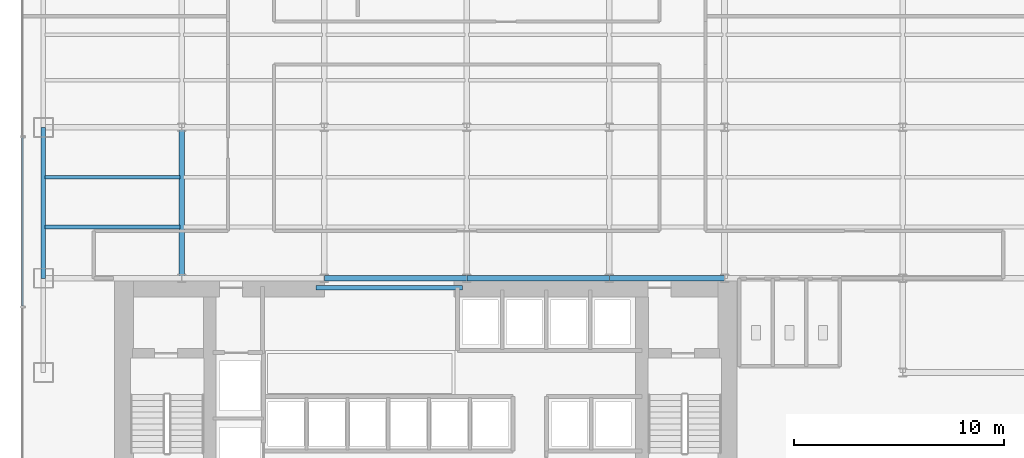
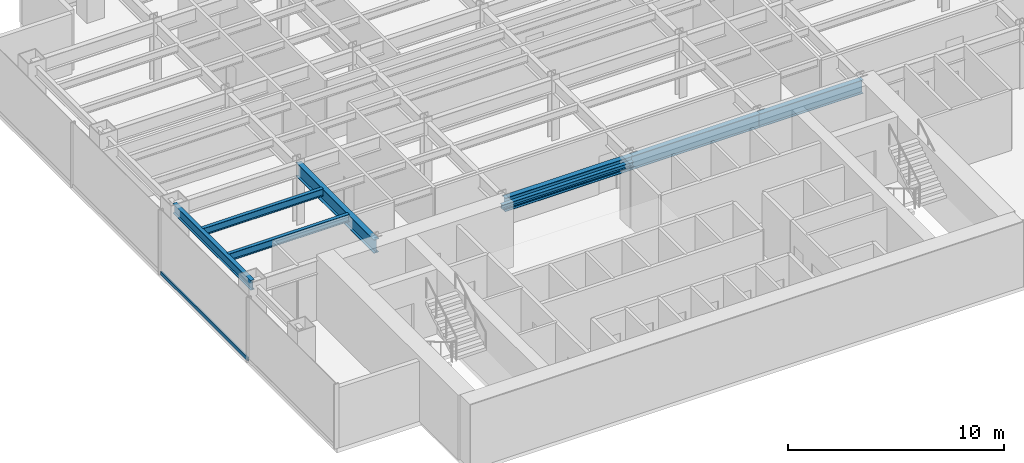
# One storey, part 3 of 23: 8 beams, 1 member, 1 element without a shape of its own.
"""IFC4 building model written with IfcOpenShell, lengths in metres."""

from ifc_helpers import new_model, si_unit, derived_unit, direction, frame, origin, origin_2d, place, context, subcontext, project, spatial, hollow_rectangle, i_section, extrude, source, transform, mapped, material, material_profile, profile_set, type_object, element, aggregate, save


model = new_model("IFC4")

# Units and contexts
model_context = context("Model", 3, precision=1e-05, world=origin(), true_north=direction((0.0, 1.0)))
body_context = subcontext(model_context, "Body", "Model", "MODEL_VIEW")
ifc_project = project(units=[si_unit("LENGTHUNIT", "METRE"), si_unit("AREAUNIT", "SQUARE_METRE"), si_unit("VOLUMEUNIT", "CUBIC_METRE"), si_unit("PLANEANGLEUNIT", "RADIAN"), si_unit("MASSUNIT", "GRAM", prefix="KILO"), derived_unit("THERMALTRANSMITTANCEUNIT", [(si_unit("POWERUNIT", "WATT"), 1), (si_unit("LENGTHUNIT", "METRE"), -2), (si_unit("THERMODYNAMICTEMPERATUREUNIT", "KELVIN"), -1)])], contexts=[model_context])

# Site, building, storey
site_placement = place(None, origin())
site = spatial("IfcSite", under=ifc_project, at=site_placement, CompositionType="ELEMENT")
building_placement = place(site_placement, origin())
building = spatial("IfcBuilding", under=site, at=building_placement, Name="Skarnbrae Concourse Arena and Tower", CompositionType="ELEMENT")
storey_placement = place(building_placement, frame((0.0, 0.0, 43.449951171875)))
storey = spatial("IfcBuildingStorey", under=building, at=storey_placement, Name="L09", CompositionType="ELEMENT", Elevation=43.449951171875)

# Beams
ifc_material_1 = material(Name="Steel CSA G40.21 350W", Category="steel")
ifc_material_profile_1 = material_profile(ifc_material_1, i_section(OverallWidth=0.202880859375, OverallDepth=0.251953125, WebThickness=0.008056640625, FlangeThickness=0.013427734375, at=origin_2d()), Name="W250X58")
ifc_profile_set_1 = profile_set([ifc_material_profile_1], Name="Steel CSA G40.21 350W")
beam_type_1 = type_object("IfcBeamType", Name="BM-LINTEL-W250X58", PredefinedType="LINTEL", material=ifc_profile_set_1)
shared_shape_1 = source(origin(), body_context, "Body", "SweptSolid", [
    extrude(i_section(OverallWidth=0.202880859375, OverallDepth=0.251953125, WebThickness=0.008056640625, FlangeThickness=0.013427734375, at=origin_2d()), origin(), (0.0, 0.0, 1.0), 7.0),
])
beam_1_placement = place(storey_placement, frame((14.0, 13.550048828125, 3.274169921875), z_axis=(1.0, 0.0, 0.0), x_axis=(0.0, 1.0, 0.0)))
element("IfcBeam", 1, at=beam_1_placement, inside=storey, type_object=beam_type_1, Name="L09 Core portal coupling lintel", PredefinedType="LINTEL", context=body_context, shape_type="MappedRepresentation", body=[
    mapped(shared_shape_1, transform((0.0, 0.0, 0.0))),
])
ifc_material_profile_2 = material_profile(ifc_material_1, i_section(OverallWidth=0.26806640625, OverallDepth=0.77001953125, WebThickness=0.015625, FlangeThickness=0.025390625, at=origin_2d()), Name="W760X196")
ifc_profile_set_2 = profile_set([ifc_material_profile_2], Name="Steel CSA G40.21 350W")
beam_type_2 = type_object("IfcBeamType", Name="BM-GIRD-W760X196", PredefinedType="BEAM", material=ifc_profile_set_2)
shared_shape_2 = source(origin(), body_context, "Body", "SweptSolid", [
    extrude(i_section(OverallWidth=0.26806640625, OverallDepth=0.77001953125, WebThickness=0.015625, FlangeThickness=0.025390625, at=origin_2d()), origin(), (0.0, 0.0, 1.0), 6.800048828125),
])
for number, where, z_axis, x_axis, name in (
    (2, (14.39990234375, 14.0, 3.01513671875), (1.0, 0.0, 0.0), (0.0, 1.0, 0.0), "L09 Primary E-W girder Y14.0-3"),
    (3, (21.199951171875, 14.0, 3.01513671875), (1.0, 0.0, 0.0), (0.0, 1.0, 0.0), "L09 Primary E-W girder Y14.0-4"),
):
    element("IfcBeam", number, at=place(storey_placement, frame(where, z_axis=z_axis, x_axis=x_axis)), inside=storey, type_object=beam_type_2, Name=name, PredefinedType="BEAM", context=body_context, shape_type="MappedRepresentation", body=[
        mapped(shared_shape_2, transform((0.0, 0.0, 0.0))),
    ])
shared_shape_3 = source(origin(), body_context, "Body", "SweptSolid", [
    extrude(i_section(OverallWidth=0.26806640625, OverallDepth=0.77001953125, WebThickness=0.015625, FlangeThickness=0.025390625, at=origin_2d()), origin(), (0.0, 0.0, 1.0), 5.5),
])
beam_2_placement = place(storey_placement, frame((28.0, 14.0, 3.01513671875), z_axis=(1.0, 0.0, 0.0), x_axis=(0.0, 1.0, 0.0)))
element("IfcBeam", 4, at=beam_2_placement, inside=storey, type_object=beam_type_2, Name="L09 Primary E-W girder Y14.0-5", PredefinedType="BEAM", context=body_context, shape_type="MappedRepresentation", body=[
    mapped(shared_shape_3, transform((0.0, 0.0, 0.0))),
])
ifc_material_profile_3 = material_profile(ifc_material_1, i_section(OverallWidth=0.214111328125, OverallDepth=0.549072265625, WebThickness=0.0146484375, FlangeThickness=0.023681640625, at=origin_2d()), Name="W530X138")
ifc_profile_set_3 = profile_set([ifc_material_profile_3], Name="Steel CSA G40.21 350W")
beam_type_3 = type_object("IfcBeamType", Name="BM-SPAN-W530X138", PredefinedType="SPANDREL", material=ifc_profile_set_3)
shared_shape_4 = source(origin(), body_context, "Body", "SweptSolid", [
    extrude(i_section(OverallWidth=0.214111328125, OverallDepth=0.549072265625, WebThickness=0.0146484375, FlangeThickness=0.023681640625, at=origin_2d()), origin(), (0.0, 0.0, 1.0), 7.199951171875),
])
beam_3_placement = place(storey_placement, frame((1.0, 14.0, 3.12548828125), z_axis=(0.0, 1.0, 0.0), x_axis=(-1.0, 0.0, 0.0)))
element("IfcBeam", 5, at=beam_3_placement, inside=storey, type_object=beam_type_3, Name="L09 Perimeter spandrel X1.0-2", PredefinedType="SPANDREL", context=body_context, shape_type="MappedRepresentation", body=[
    mapped(shared_shape_4, transform((0.0, 0.0, 0.0))),
])
shared_shape_5 = source(origin(), body_context, "Body", "SweptSolid", [
    extrude(i_section(OverallWidth=0.26806640625, OverallDepth=0.77001953125, WebThickness=0.015625, FlangeThickness=0.025390625, at=origin_2d()), origin(), (0.0, 0.0, 1.0), 7.199951171875),
])
beam_4_placement = place(storey_placement, frame((7.60009765625, 14.0, 3.01513671875), z_axis=(0.0, 1.0, 0.0), x_axis=(-1.0, 0.0, 0.0)))
element("IfcBeam", 6, at=beam_4_placement, inside=storey, type_object=beam_type_2, Name="L09 Primary N-S girder X7.6-1", PredefinedType="BEAM", context=body_context, shape_type="MappedRepresentation", body=[
    mapped(shared_shape_5, transform((0.0, 0.0, 0.0))),
])
ifc_material_profile_4 = material_profile(ifc_material_1, i_section(OverallWidth=0.180908203125, OverallDepth=0.4169921875, WebThickness=0.010986328125, FlangeThickness=0.018310546875, at=origin_2d()), Name="W410X85")
ifc_profile_set_4 = profile_set([ifc_material_profile_4], Name="Steel CSA G40.21 350W")
beam_type_4 = type_object("IfcBeamType", Name="BM-JOIST-W410X85", PredefinedType="JOIST", material=ifc_profile_set_4)
shared_shape_6 = source(origin(), body_context, "Body", "SweptSolid", [
    extrude(i_section(OverallWidth=0.180908203125, OverallDepth=0.4169921875, WebThickness=0.010986328125, FlangeThickness=0.018310546875, at=origin_2d()), origin(), (0.0, 0.0, 1.0), 6.43994140625),
])
for number, where, z_axis, x_axis, name in (
    (7, (1.080078125, 16.447998046875, 3.191650390625), (1.0, 0.0, 0.0), (0.0, 1.0, 0.0), "L09 Secondary floor joist 1.1.1"),
    (8, (1.080078125, 18.823974609375, 3.191650390625), (1.0, 0.0, 0.0), (0.0, 1.0, 0.0), "L09 Secondary floor joist 1.2.1"),
):
    element("IfcBeam", number, at=place(storey_placement, frame(where, z_axis=z_axis, x_axis=x_axis)), inside=storey, type_object=beam_type_4, Name=name, PredefinedType="JOIST", context=body_context, shape_type="MappedRepresentation", body=[
        mapped(shared_shape_6, transform((0.0, 0.0, 0.0))),
    ])

# Curtain wall, member
ifc_material_2 = material(Name="Bronze anodised aluminium 6063-T6", Category="aluminium")
curtain_wall_type = type_object("IfcCurtainWallType", Name="CW-SYS-02-LOWZONE", PredefinedType="USERDEFINED", material=ifc_material_2)
curtain_wall_placement = place(storey_placement, origin())
curtain_wall = element("IfcCurtainWall", 9, at=curtain_wall_placement, inside=storey, type_object=curtain_wall_type, Name="L09 Unitised curtain wall CW-L09-E19", ObjectType="UNITISED CURTAIN WALL", PredefinedType="USERDEFINED")
ifc_material_profile_5 = material_profile(ifc_material_2, hollow_rectangle(XDim=0.080078125, YDim=0.18994140625, WallThickness=0.0048828125, at=origin_2d()), Name="ALU-TRAN-80X190")
ifc_profile_set_5 = profile_set([ifc_material_profile_5], Name="Bronze anodised aluminium 6063-T6")
member_type = type_object("IfcMemberType", Name="CWT-CW-02", PredefinedType="USERDEFINED", material=ifc_profile_set_5)
shared_shape_7 = source(origin(), body_context, "Body", "SweptSolid", [
    extrude(hollow_rectangle(XDim=0.080078125, YDim=0.18994140625, WallThickness=0.0048828125, at=origin_2d()), origin(), (0.0, 0.0, 1.0), 8.044921875),
])
member_placement = place(storey_placement, frame((0.0, 20.7099609375, 0.094970703125), z_axis=(0.0, -1.0, 0.0), x_axis=(1.0, 0.0, 0.0)))
member = element("IfcMember", 10, at=member_placement, type_object=member_type, Name="CW-L09-E19 Transom 3", ObjectType="TRANSOM", PredefinedType="USERDEFINED", context=body_context, shape_type="MappedRepresentation", body=[
    mapped(shared_shape_7, transform((0.0, 0.0, 0.0))),
])
aggregate(curtain_wall, [member])

save(model, "model.ifc")
